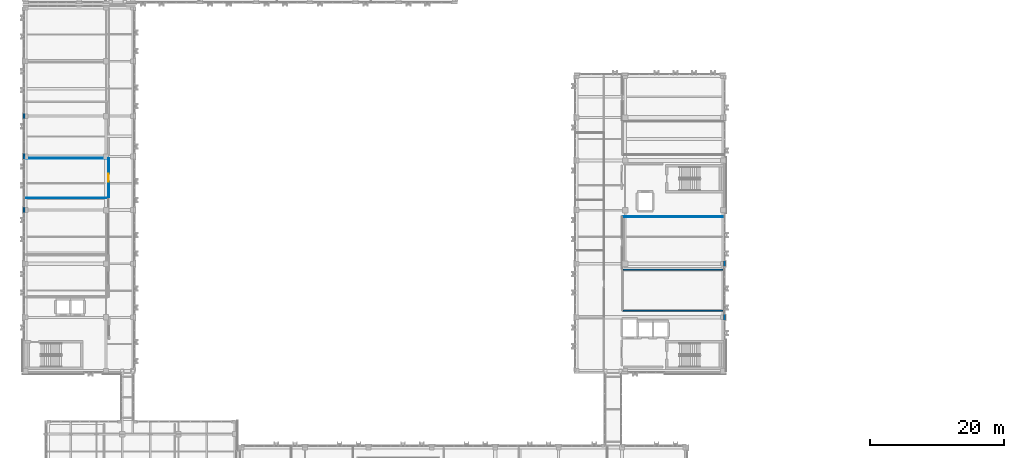
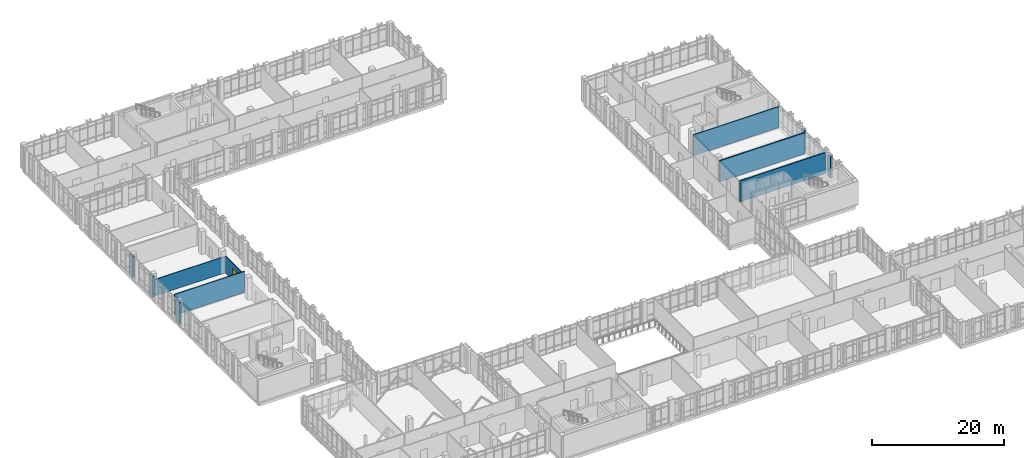
# One storey, part 158 of 193: 11 walls, 1 door, 1 opening.
"""IFC4 building model written with IfcOpenShell, lengths in metres."""

from ifc_helpers import new_model, si_unit, direction, frame, frame_2d, origin, place, context, subcontext, project, spatial, rectangle, extrude, material, layer, layer_set, type_object, element, fill, save


model = new_model("IFC4")

# Units and contexts
model_context = context("Model", 3, precision=1e-05, world=origin(), true_north=direction((0.0, 1.0)))
body_context = subcontext(model_context, "Body", "Model", "MODEL_VIEW")
ifc_project = project(units=[si_unit("LENGTHUNIT", "METRE"), si_unit("AREAUNIT", "SQUARE_METRE"), si_unit("VOLUMEUNIT", "CUBIC_METRE"), si_unit("PLANEANGLEUNIT", "RADIAN"), si_unit("MASSUNIT", "GRAM", prefix="KILO")], contexts=[model_context])

# Site, building, storey
site_placement = place(None, origin())
site = spatial("IfcSite", under=ifc_project, at=site_placement, CompositionType="ELEMENT")
building_placement = place(site_placement, origin())
building = spatial("IfcBuilding", under=site, at=building_placement, Name="Qalavern Law Courts", CompositionType="ELEMENT")
storey_placement = place(building_placement, frame((0.0, 0.0, 10.199951171875)))
storey = spatial("IfcBuildingStorey", under=building, at=storey_placement, Name="L02", CompositionType="ELEMENT", Elevation=10.199951171875)

# Walls
ifc_material_1 = material(Name="Concrete C40/50", Category="concrete")
ifc_layer_1 = layer(ifc_material_1, 0.31005859375)
ifc_layer_set_1 = layer_set([ifc_layer_1], Name="Concrete C40/50")
wall_type_1 = type_object("IfcWallType", Name="ENV-EW-310", PredefinedType="SOLIDWALL", material=ifc_layer_set_1)
for number, where, z_axis, x_axis, name in (
    (1, (2.155029296875, 79.89990234375, 0.0), (0.0, 0.0, 1.0), (0.0, -1.0, 0.0), "V3 exterior pier wall L02 west 3"),
    (2, (2.155029296875, 73.89990234375, 0.0), (0.0, 0.0, 1.0), (0.0, -1.0, 0.0), "V3 exterior pier wall L02 west 4"),
    (3, (2.155029296875, 65.89990234375, 0.0), (0.0, 0.0, 1.0), (0.0, -1.0, 0.0), "V3 exterior pier wall L02 west 5"),
    (4, (106.64501953125, 48.89990234375, 0.0), (0.0, 0.0, 1.0), (0.0, 1.0, 0.0), "V4 exterior pier wall L02 east 2"),
    (5, (106.64501953125, 56.89990234375, 0.0), (0.0, 0.0, 1.0), (0.0, 1.0, 0.0), "V4 exterior pier wall L02 east 3"),
):
    element("IfcWall", number, at=place(storey_placement, frame(where, z_axis=z_axis, x_axis=x_axis)), inside=storey, type_object=wall_type_1, Name=name, PredefinedType="SOLIDWALL", context=body_context, shape_type="SweptSolid", body=[
        extrude(rectangle(XDim=1.0, YDim=0.31005859375, at=frame_2d((0.5, 0.0))), origin(), (0.0, 0.0, 1.0), 3.9150390625),
    ])
ifc_material_2 = material(Name="Gypsum shaft/chase partition")
ifc_layer_2 = layer(ifc_material_2, 0.092041015625)
ifc_layer_set_2 = layer_set([ifc_layer_2], Name="Gypsum shaft/chase partition")
wall_type_2 = type_object("IfcWallType", Name="INT-PW-092", PredefinedType="PARTITIONING", material=ifc_layer_set_2)
wall_1_placement = place(storey_placement, frame((2.43994140625, 67.198974609375, 0.0), z_axis=(0.0, 0.0, 1.0), x_axis=(1.0, 0.0, 0.0)))
element("IfcWall", 6, at=wall_1_placement, inside=storey, type_object=wall_type_2, Name="Administrative Courtroom cross partition L02 north", PredefinedType="PARTITIONING", context=body_context, shape_type="SweptSolid", body=[
    extrude(rectangle(XDim=12.2841796875, YDim=0.092041015625, at=frame_2d((6.14208984375, 0.0))), origin(), (0.0, 0.0, 1.0), 3.9150390625),
])
wall_2_placement = place(storey_placement, frame((91.426025390625, 64.409912109375, 0.0), z_axis=(0.0, 0.0, 1.0), x_axis=(1.0, 0.0, 0.0)))
element("IfcWall", 7, at=wall_2_placement, inside=storey, type_object=wall_type_2, Name="Civil Courtroom cross partition L02 north", PredefinedType="PARTITIONING", context=body_context, shape_type="SweptSolid", body=[
    extrude(rectangle(XDim=14.93408203125, YDim=0.092041015625, at=frame_2d((7.467041015625, 0.0))), origin(), (0.0, 0.0, 1.0), 3.9150390625),
])

# Wall, opening, door
ifc_material_3 = material(Name="Gypsum stud partition")
ifc_layer_3 = layer(ifc_material_3, 0.112060546875)
ifc_layer_set_3 = layer_set([ifc_layer_3], Name="Gypsum stud partition")
wall_type_3 = type_object("IfcWallType", Name="INT-PW-112", PredefinedType="PARTITIONING", material=ifc_layer_set_3)
wall_3_placement = place(storey_placement, frame((14.7900390625, 67.319091796875, 0.0), z_axis=(0.0, 0.0, 1.0), x_axis=(0.0, 1.0, 0.0)))
wall_3 = element("IfcWall", 8, at=wall_3_placement, inside=storey, type_object=wall_type_3, Name="Jury Deliberation Suite corridor partition L02", PredefinedType="PARTITIONING", context=body_context, shape_type="SweptSolid", body=[
    extrude(rectangle(XDim=5.81591796875, YDim=0.112060546875, at=frame_2d((2.907958984375, 0.0))), origin(), (0.0, 0.0, 1.0), 3.14501953125),
])
opening_placement = place(wall_3_placement, frame((2.298095703125, 0.0, 0.0)))
opening = element("IfcOpeningElement", 9, at=opening_placement, cuts=wall_3, Name="Opening L02-D218", PredefinedType="OPENING", context=body_context, shape_type="SweptSolid", body=[
    extrude(rectangle(XDim=1.219970703125, YDim=2.179931640625, at=frame_2d((0.60986328125, 1.08984375))), frame((0.0, 0.07080078125, 0.0), z_axis=(0.0, -1.0, 0.0), x_axis=(1.0, 0.0, 0.0)), (0.0, 0.0, 1.0), 0.141845703125),
])
ifc_material_4 = material(Name="Wide oak Plenary Boardroom door")
door_type = type_object("IfcDoorType", Name="INT-ID-1220x2180", OperationType="NOTDEFINED", PredefinedType="DOOR", material=ifc_material_4)
door_placement = place(opening_placement, frame((1.219970703125, 0.0, 0.0), z_axis=(0.0, 0.0, 1.0), x_axis=(-1.0, 0.0, 0.0)))
door = element("IfcDoor", 10, at=door_placement, inside=storey, type_object=door_type, Name="Jury Deliberation Suite door L02", OperationType="SINGLE_SWING_RIGHT", OverallHeight=2.179931640625, OverallWidth=1.219970703125, PredefinedType="DOOR", context=body_context, shape_type="SweptSolid", body=[
    extrude(rectangle(XDim=1.219970703125, YDim=2.179931640625, at=frame_2d((0.60986328125, 1.08984375))), frame((0.0, 0.02490234375, 0.0), z_axis=(0.0, -1.0, 0.0), x_axis=(1.0, 0.0, 0.0)), (0.0, 0.0, 1.0), 0.050048828125),
])
fill(opening, door)

# Walls
wall_4_placement = place(storey_placement, frame((2.43994140625, 73.135009765625, 0.0), z_axis=(0.0, 0.0, 1.0), x_axis=(1.0, 0.0, 0.0)))
element("IfcWall", 11, at=wall_4_placement, inside=storey, type_object=wall_type_3, Name="Jury Deliberation Suite cross partition L02 north", PredefinedType="PARTITIONING", context=body_context, shape_type="SweptSolid", body=[
    extrude(rectangle(XDim=12.274169921875, YDim=0.112060546875, at=frame_2d((6.13720703125, 0.0))), origin(), (0.0, 0.0, 1.0), 3.045166015625),
])
ifc_material_5 = material(Name="Gypsum acoustic stud partition")
ifc_layer_4 = layer(ifc_material_5, 0.174072265625)
ifc_layer_set_4 = layer_set([ifc_layer_4], Name="Gypsum acoustic stud partition")
wall_type_4 = type_object("IfcWallType", Name="INT-PW-174", PredefinedType="PARTITIONING", material=ifc_layer_set_4)
for number, where, z_axis, x_axis, name in (
    (12, (91.467041015625, 50.389892578125, 0.0), (0.0, 0.0, 1.0), (1.0, 0.0, 0.0), "Civil Courtroom cross partition L02 south"),
    (13, (91.467041015625, 56.514892578125, 0.0), (0.0, 0.0, 1.0), (1.0, 0.0, 0.0), "Civil Courtroom cross partition L02 north"),
):
    element("IfcWall", number, at=place(storey_placement, frame(where, z_axis=z_axis, x_axis=x_axis)), inside=storey, type_object=wall_type_4, Name=name, PredefinedType="PARTITIONING", context=body_context, shape_type="SweptSolid", body=[
        extrude(rectangle(XDim=14.89306640625, YDim=0.174072265625, at=frame_2d((7.446533203125, 0.0))), origin(), (0.0, 0.0, 1.0), 3.9150390625),
    ])

save(model, "model.ifc")
